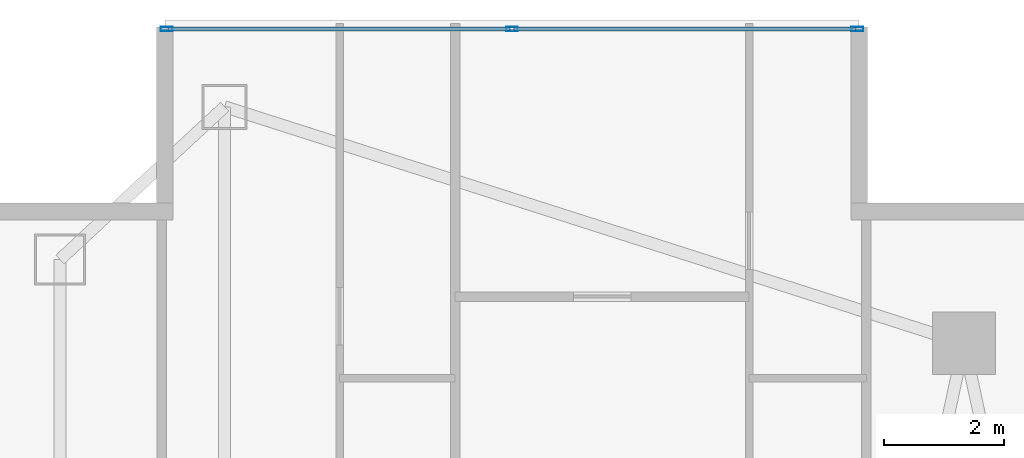
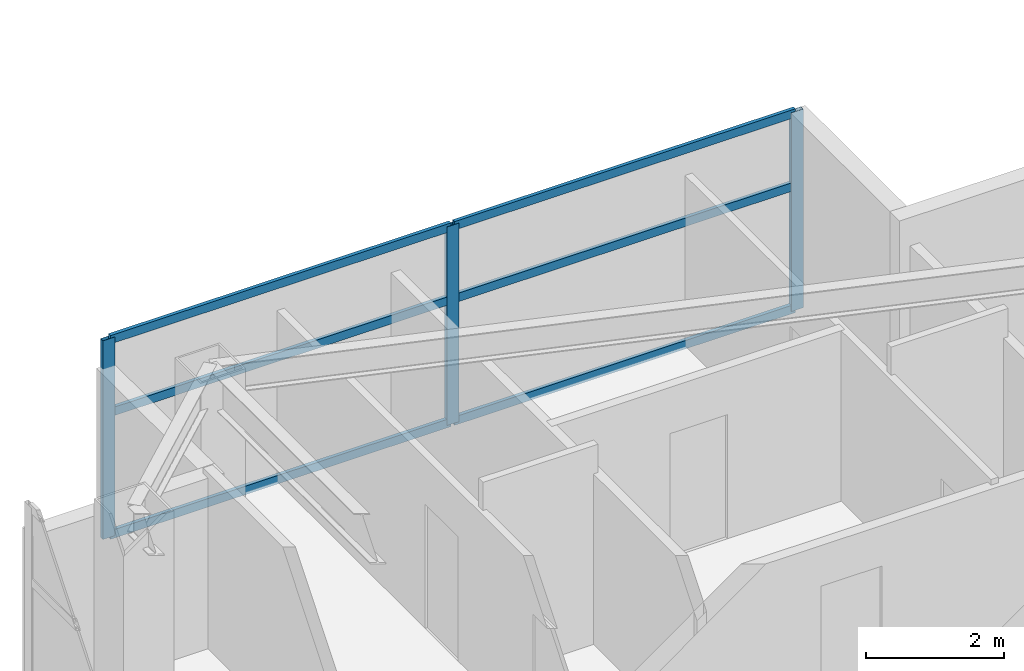
# One storey, part 19 of 28: 9 members, 1 element without a shape of its own.
"""IFC4 building model written with IfcOpenShell, lengths in metres."""

from ifc_helpers import new_model, si_unit, direction, frame, origin, origin_2d, place, context, subcontext, project, spatial, hollow_rectangle, extrude, material, layer, layer_set, material_profile, profile_set, type_object, element, aggregate, save


model = new_model("IFC4")

# Units and contexts
model_context = context("Model", 3, precision=1e-05, world=origin(), true_north=direction((0.0, 1.0)))
body_context = subcontext(model_context, "Body", "Model", "MODEL_VIEW")
ifc_project = project(units=[si_unit("LENGTHUNIT", "METRE"), si_unit("AREAUNIT", "SQUARE_METRE"), si_unit("VOLUMEUNIT", "CUBIC_METRE"), si_unit("PLANEANGLEUNIT", "RADIAN"), si_unit("MASSUNIT", "GRAM", prefix="KILO")], contexts=[model_context])

# Site, building, storey
site_placement = place(None, origin())
site = spatial("IfcSite", under=ifc_project, at=site_placement, CompositionType="ELEMENT")
building_placement = place(site_placement, origin())
building = spatial("IfcBuilding", under=site, at=building_placement, Name="Calvorn Quay Hotel", CompositionType="ELEMENT")
storey_placement = place(building_placement, frame((0.0, 0.0, 182.699951171875)))
storey = spatial("IfcBuildingStorey", under=building, at=storey_placement, Name="L45", CompositionType="ELEMENT", Elevation=182.699951171875)

# Curtain wall, members
ifc_material_1 = material(Name="Pale Anodised Aluminium and Low-E Glass", Category="aluminium")
ifc_layer = layer(ifc_material_1, 0.219970703125)
ifc_layer_set = layer_set([ifc_layer], Name="CW-SYS-Z2")
curtain_wall_type = type_object("IfcCurtainWallType", Name="CW-SYS-Z2", PredefinedType="NOTDEFINED", material=ifc_layer_set)
curtain_wall_placement = place(storey_placement, origin())
curtain_wall = element("IfcCurtainWall", 1, at=curtain_wall_placement, inside=storey, type_object=curtain_wall_type, Name="Inner Court Curtain Wall L45-N1", PredefinedType="NOTDEFINED")
ifc_material_2 = material(Name="Pale Anodised Aluminium 6063-T6", Category="aluminium")
ifc_material_profile_1 = material_profile(ifc_material_2, hollow_rectangle(XDim=0.070068359375, YDim=0.199951171875, WallThickness=0.00390625, at=origin_2d()), Name="ALU-M200x70x4")
ifc_profile_set_1 = profile_set([ifc_material_profile_1], Name="Pale Anodised Aluminium 6063-T6")
member_type_1 = type_object("IfcMemberType", Name="CW-SYS-Z2-MUL", PredefinedType="MULLION", material=ifc_profile_set_1)
member_1_placement = place(storey_placement, frame((14.77001953125, 50.85009765625, 0.0), z_axis=(0.0, 0.0, 1.0), x_axis=(0.0, -1.0, 0.0)))
member_1 = element("IfcMember", 2, at=member_1_placement, type_object=member_type_1, Name="CW-L45-N1 mullion 1", PredefinedType="MULLION", context=body_context, shape_type="SweptSolid", body=[
    extrude(hollow_rectangle(XDim=0.070068359375, YDim=0.199951171875, WallThickness=0.00390625, at=origin_2d()), origin(), (0.0, 0.0, 1.0), 3.52001953125),
])
member_2_placement = place(storey_placement, frame((9.0, 50.85009765625, 0.0), z_axis=(0.0, 0.0, 1.0), x_axis=(0.0, -1.0, 0.0)))
member_2 = element("IfcMember", 3, at=member_2_placement, type_object=member_type_1, Name="CW-L45-N1 mullion 2", PredefinedType="MULLION", context=body_context, shape_type="SweptSolid", body=[
    extrude(hollow_rectangle(XDim=0.070068359375, YDim=0.199951171875, WallThickness=0.00390625, at=origin_2d()), origin(), (0.0, 0.0, 1.0), 3.52001953125),
])
member_3_placement = place(storey_placement, frame((3.22998046875, 50.85009765625, 0.0), z_axis=(0.0, 0.0, 1.0), x_axis=(0.0, -1.0, 0.0)))
member_3 = element("IfcMember", 4, at=member_3_placement, type_object=member_type_1, Name="CW-L45-N1 mullion 3", PredefinedType="MULLION", context=body_context, shape_type="SweptSolid", body=[
    extrude(hollow_rectangle(XDim=0.070068359375, YDim=0.199951171875, WallThickness=0.00390625, at=origin_2d()), origin(), (0.0, 0.0, 1.0), 3.52001953125),
])
ifc_material_3 = material(Name="Pale Anodised Aluminium 6063-T6", Category="aluminium")
ifc_material_profile_2 = material_profile(ifc_material_3, hollow_rectangle(XDim=0.06005859375, YDim=0.14990234375, WallThickness=0.00341796875, at=origin_2d()), Name="ALU-T150x60x3.5")
ifc_profile_set_2 = profile_set([ifc_material_profile_2], Name="Pale Anodised Aluminium 6063-T6")
member_type_2 = type_object("IfcMemberType", Name="CW-SYS-Z2-TRN", PredefinedType="USERDEFINED", material=ifc_profile_set_2)
member_4_placement = place(storey_placement, frame((14.739990234375, 50.85009765625, 0.030029296875), z_axis=(-1.0, 0.0, 0.0), x_axis=(0.0, -1.0, 0.0)))
member_4 = element("IfcMember", 5, at=member_4_placement, type_object=member_type_2, Name="CW-L45-N1 transom 1.1", ObjectType="TRANSOM", PredefinedType="USERDEFINED", context=body_context, shape_type="SweptSolid", body=[
    extrude(hollow_rectangle(XDim=0.06005859375, YDim=0.14990234375, WallThickness=0.00341796875, at=origin_2d()), origin(), (0.0, 0.0, 1.0), 5.7099609375),
])
member_5_placement = place(storey_placement, frame((14.739990234375, 50.85009765625, 2.199951171875), z_axis=(-1.0, 0.0, 0.0), x_axis=(0.0, -1.0, 0.0)))
member_5 = element("IfcMember", 6, at=member_5_placement, type_object=member_type_2, Name="CW-L45-N1 transom 1.2", ObjectType="TRANSOM", PredefinedType="USERDEFINED", context=body_context, shape_type="SweptSolid", body=[
    extrude(hollow_rectangle(XDim=0.06005859375, YDim=0.14990234375, WallThickness=0.00341796875, at=origin_2d()), origin(), (0.0, 0.0, 1.0), 5.7099609375),
])
member_6_placement = place(storey_placement, frame((14.739990234375, 50.85009765625, 3.489990234375), z_axis=(-1.0, 0.0, 0.0), x_axis=(0.0, -1.0, 0.0)))
member_6 = element("IfcMember", 7, at=member_6_placement, type_object=member_type_2, Name="CW-L45-N1 transom 1.3", ObjectType="TRANSOM", PredefinedType="USERDEFINED", context=body_context, shape_type="SweptSolid", body=[
    extrude(hollow_rectangle(XDim=0.06005859375, YDim=0.14990234375, WallThickness=0.00341796875, at=origin_2d()), origin(), (0.0, 0.0, 1.0), 5.7099609375),
])
member_7_placement = place(storey_placement, frame((8.969970703125, 50.85009765625, 0.030029296875), z_axis=(-1.0, 0.0, 0.0), x_axis=(0.0, -1.0, 0.0)))
member_7 = element("IfcMember", 8, at=member_7_placement, type_object=member_type_2, Name="CW-L45-N1 transom 2.1", ObjectType="TRANSOM", PredefinedType="USERDEFINED", context=body_context, shape_type="SweptSolid", body=[
    extrude(hollow_rectangle(XDim=0.06005859375, YDim=0.14990234375, WallThickness=0.00341796875, at=origin_2d()), origin(), (0.0, 0.0, 1.0), 5.7099609375),
])
member_8_placement = place(storey_placement, frame((8.969970703125, 50.85009765625, 2.199951171875), z_axis=(-1.0, 0.0, 0.0), x_axis=(0.0, -1.0, 0.0)))
member_8 = element("IfcMember", 9, at=member_8_placement, type_object=member_type_2, Name="CW-L45-N1 transom 2.2", ObjectType="TRANSOM", PredefinedType="USERDEFINED", context=body_context, shape_type="SweptSolid", body=[
    extrude(hollow_rectangle(XDim=0.06005859375, YDim=0.14990234375, WallThickness=0.00341796875, at=origin_2d()), origin(), (0.0, 0.0, 1.0), 5.7099609375),
])
member_9_placement = place(storey_placement, frame((8.969970703125, 50.85009765625, 3.489990234375), z_axis=(-1.0, 0.0, 0.0), x_axis=(0.0, -1.0, 0.0)))
member_9 = element("IfcMember", 10, at=member_9_placement, type_object=member_type_2, Name="CW-L45-N1 transom 2.3", ObjectType="TRANSOM", PredefinedType="USERDEFINED", context=body_context, shape_type="SweptSolid", body=[
    extrude(hollow_rectangle(XDim=0.06005859375, YDim=0.14990234375, WallThickness=0.00341796875, at=origin_2d()), origin(), (0.0, 0.0, 1.0), 5.7099609375),
])
aggregate(curtain_wall, [member_1, member_2, member_3, member_4, member_5, member_6, member_7, member_8, member_9])

save(model, "model.ifc")
